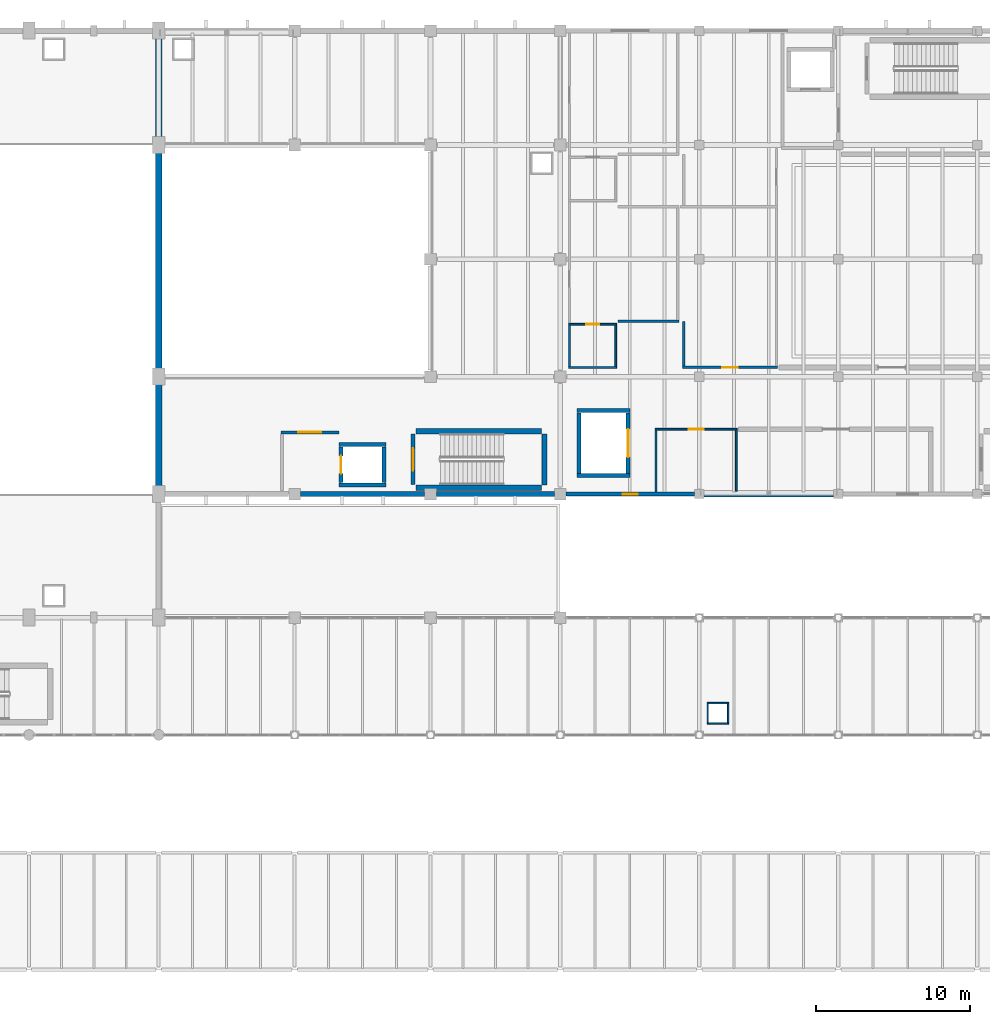
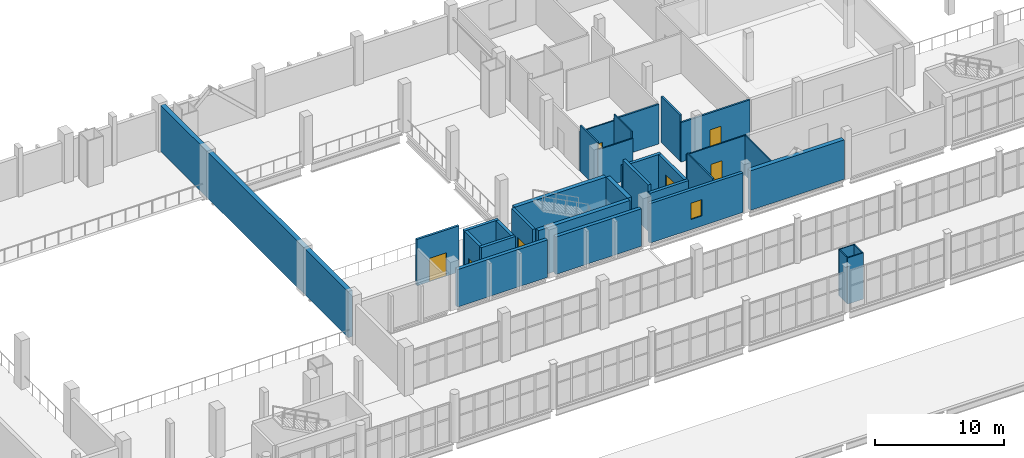
# One storey, part 121 of 136: 32 walls, 7 doors, 1 window, 8 openings.
"""IFC4 building model written with IfcOpenShell, lengths in metres."""

from ifc_helpers import new_model, si_unit, direction, frame, frame_2d, origin, place, context, subcontext, project, spatial, rectangle, extrude, material, layer, layer_set, type_object, element, fill, save


model = new_model("IFC4")

# Units and contexts
model_context = context("Model", 3, precision=1e-05, world=origin(), true_north=direction((0.0, 1.0)))
body_context = subcontext(model_context, "Body", "Model", "MODEL_VIEW")
ifc_project = project(units=[si_unit("LENGTHUNIT", "METRE"), si_unit("AREAUNIT", "SQUARE_METRE"), si_unit("VOLUMEUNIT", "CUBIC_METRE"), si_unit("PLANEANGLEUNIT", "RADIAN"), si_unit("MASSUNIT", "GRAM", prefix="KILO")], contexts=[model_context])

# Site, building, storey
site_placement = place(None, origin())
site = spatial("IfcSite", under=ifc_project, at=site_placement, CompositionType="ELEMENT")
building_placement = place(site_placement, origin())
building = spatial("IfcBuilding", under=site, at=building_placement, Name="Shengluoqiao Park Theatre", CompositionType="ELEMENT")
storey_placement = place(building_placement, frame((0.0, 0.0, 10.0)))
storey = spatial("IfcBuildingStorey", under=building, at=storey_placement, Name="L02", CompositionType="ELEMENT", Elevation=10.0)

# Wall, opening, window
ifc_material_1 = material(Name="Concrete C40", Category="concrete")
ifc_layer_1 = layer(ifc_material_1, 0.27001953125, Name="Concrete C40")
ifc_layer_set_1 = layer_set([ifc_layer_1], Name="Concrete C40")
wall_type_1 = type_object("IfcWallType", Name="ENV-WL-CONC270", PredefinedType="STANDARD", material=ifc_layer_set_1)
wall_1_placement = place(storey_placement, frame((112.779052734375, 84.0, 0.0), z_axis=(0.0, 0.0, 1.0), x_axis=(1.0, 0.0, 0.0)))
wall_1 = element("IfcWall", 1, at=wall_1_placement, inside=storey, type_object=wall_type_1, Name="L02 Exterior Wall 0217", PredefinedType="STANDARD", context=body_context, shape_type="SweptSolid", body=[
    extrude(rectangle(XDim=8.31689453125, YDim=0.27001953125, at=frame_2d((4.158447265625, 0.0))), origin(), (0.0, 0.0, 1.0), 3.738037109375),
])
opening_1_placement = place(wall_1_placement, frame((3.68359375, 0.0, 0.949951171875)))
opening_1 = element("IfcOpeningElement", 2, at=opening_1_placement, cuts=wall_1, Name="Opening W-08", PredefinedType="OPENING", context=body_context, shape_type="SweptSolid", body=[
    extrude(rectangle(XDim=0.949951171875, YDim=1.550048828125, at=frame_2d((0.47509765625, 0.77490234375))), frame((0.0, 0.14501953125, 0.0), z_axis=(0.0, -1.0, 0.0), x_axis=(1.0, 0.0, 0.0)), (0.0, 0.0, 1.0), 0.2900390625),
])
ifc_material_2 = material(Name="Insulated glass", Category="glass")
window_type = type_object("IfcWindowType", Name="ENV-WIN-W08", PartitioningType="SINGLE_PANEL", PredefinedType="WINDOW", material=ifc_material_2)
window_placement = place(opening_1_placement, origin())
window = element("IfcWindow", 3, at=window_placement, inside=storey, type_object=window_type, Name="L02 Acoustic Window 0062", OverallHeight=1.550048828125, OverallWidth=0.949951171875, PartitioningType="SINGLE_PANEL", PredefinedType="WINDOW", context=body_context, shape_type="SweptSolid", body=[
    extrude(rectangle(XDim=0.949951171875, YDim=1.550048828125, at=frame_2d((0.47509765625, 0.77490234375))), frame((0.0, 0.030029296875, 0.0), z_axis=(0.0, -1.0, 0.0), x_axis=(1.0, 0.0, 0.0)), (0.0, 0.0, 1.0), 0.06005859375),
])
fill(opening_1, window)

# Walls
ifc_layer_2 = layer(ifc_material_1, 0.31005859375, Name="Concrete C40")
ifc_layer_set_2 = layer_set([ifc_layer_2], Name="Concrete C40")
wall_type_2 = type_object("IfcWallType", Name="ENV-WL-CONC310", PredefinedType="STANDARD", material=ifc_layer_set_2)
wall_2_placement = place(storey_placement, frame((95.5791015625, 84.0, 0.0), z_axis=(0.0, 0.0, 1.0), x_axis=(1.0, 0.0, 0.0)))
element("IfcWall", 4, at=wall_2_placement, inside=storey, type_object=wall_type_2, Name="L02 Exterior Wall 0069", PredefinedType="STANDARD", context=body_context, shape_type="SweptSolid", body=[
    extrude(rectangle(XDim=8.0419921875, YDim=0.31005859375, at=frame_2d((4.02099609375, 0.0))), origin(), (0.0, 0.0, 1.0), 3.5380859375),
])
wall_3_placement = place(storey_placement, frame((104.37890625, 84.0, 0.0), z_axis=(0.0, 0.0, 1.0), x_axis=(1.0, 0.0, 0.0)))
element("IfcWall", 5, at=wall_3_placement, inside=storey, type_object=wall_type_2, Name="L02 Exterior Wall 0070", PredefinedType="STANDARD", context=body_context, shape_type="SweptSolid", body=[
    extrude(rectangle(XDim=7.64208984375, YDim=0.31005859375, at=frame_2d((3.821044921875, 0.0))), origin(), (0.0, 0.0, 1.0), 3.5380859375),
])
ifc_material_3 = material(Name="Concrete C45", Category="concrete")
ifc_layer_3 = layer(ifc_material_3, 0.3798828125, Name="Concrete C45")
ifc_layer_set_3 = layer_set([ifc_layer_3], Name="Concrete C45")
wall_type_3 = type_object("IfcWallType", Name="ENV-WL-CONC380", PredefinedType="STANDARD", material=ifc_layer_set_3)
wall_4_placement = place(storey_placement, frame((121.7041015625, 84.0, 0.0), z_axis=(0.0, 0.0, 1.0), x_axis=(1.0, 0.0, 0.0)))
element("IfcWall", 6, at=wall_4_placement, inside=storey, type_object=wall_type_3, Name="L02 Exterior Wall 0218", PredefinedType="STANDARD", context=body_context, shape_type="SweptSolid", body=[
    extrude(rectangle(XDim=8.391845703125, YDim=0.3798828125, at=frame_2d((4.19580078125, 0.0))), origin(), (0.0, 0.0, 1.0), 3.738037109375),
])
ifc_material_4 = material(Name="Gypsum acoustic stud", Category="gypsum")
ifc_layer_4 = layer(ifc_material_4, 0.155029296875, Name="Gypsum acoustic stud")
ifc_layer_set_4 = layer_set([ifc_layer_4], Name="Gypsum acoustic stud")
wall_type_4 = type_object("IfcWallType", Name="INT-WL-DRS155", PredefinedType="PARTITIONING", material=ifc_layer_set_4)
wall_5_placement = place(storey_placement, frame((116.135009765625, 95.199951171875, 0.0), z_axis=(0.0, 0.0, 1.0), x_axis=(1.0, 0.0, 0.0)))
element("IfcWall", 7, at=wall_5_placement, inside=storey, type_object=wall_type_4, Name="Principal Dressing Room 03 Partition S", PredefinedType="PARTITIONING", context=body_context, shape_type="SweptSolid", body=[
    extrude(rectangle(XDim=3.9423828125, YDim=0.155029296875, at=frame_2d((1.97119140625, 0.0))), origin(), (0.0, 0.0, 1.0), 3.738037109375),
])

# Wall, opening, door
wall_6_placement = place(storey_placement, frame((120.322509765625, 92.199951171875, 0.0), z_axis=(0.0, 0.0, 1.0), x_axis=(1.0, 0.0, 0.0)))
wall_6 = element("IfcWall", 8, at=wall_6_placement, inside=storey, type_object=wall_type_4, Name="Chorus Dressing Room 03 Partition S", PredefinedType="PARTITIONING", context=body_context, shape_type="SweptSolid", body=[
    extrude(rectangle(XDim=6.155029296875, YDim=0.155029296875, at=frame_2d((3.07763671875, 0.0))), origin(), (0.0, 0.0, 1.0), 3.738037109375),
])
opening_2_placement = place(wall_6_placement, frame((2.577392578125, 0.0, 0.0)))
opening_2 = element("IfcOpeningElement", 9, at=opening_2_placement, cuts=wall_6, Name="Opening D-L02-062", PredefinedType="OPENING", context=body_context, shape_type="SweptSolid", body=[
    extrude(rectangle(XDim=1.0, YDim=2.14990234375, at=frame_2d((0.5, 1.074951171875))), frame((0.0, 0.08740234375, 0.0), z_axis=(0.0, -1.0, 0.0), x_axis=(1.0, 0.0, 0.0)), (0.0, 0.0, 1.0), 0.175048828125),
])
ifc_material_5 = material(Name="Acoustic timber", Category="wood")
door_type_1 = type_object("IfcDoorType", Name="INT-DR-SNG100", OperationType="NOTDEFINED", PredefinedType="DOOR", material=ifc_material_5)
door_1_placement = place(opening_2_placement, origin())
door_1 = element("IfcDoor", 10, at=door_1_placement, inside=storey, type_object=door_type_1, Name="Chorus Dressing Room 03 Door D-L02-062", OperationType="SINGLE_SWING_RIGHT", OverallHeight=2.14990234375, OverallWidth=1.0, PredefinedType="DOOR", context=body_context, shape_type="SweptSolid", body=[
    extrude(rectangle(XDim=1.0, YDim=2.14990234375, at=frame_2d((0.5, 1.074951171875))), frame((0.0, 0.02490234375, 0.0), z_axis=(0.0, -1.0, 0.0), x_axis=(1.0, 0.0, 0.0)), (0.0, 0.0, 1.0), 0.050048828125),
])
fill(opening_2, door_1)

# Wall
wall_7_placement = place(storey_placement, frame((120.39990234375, 92.283447265625, 0.0), z_axis=(0.0, 0.0, 1.0), x_axis=(0.0, 1.0, 0.0)))
element("IfcWall", 11, at=wall_7_placement, inside=storey, type_object=wall_type_4, Name="Chorus Dressing Room 03 Partition W", PredefinedType="PARTITIONING", context=body_context, shape_type="SweptSolid", body=[
    extrude(rectangle(XDim=2.902587890625, YDim=0.155029296875, at=frame_2d((1.451171875, 0.0))), origin(), (0.0, 0.0, 1.0), 4.360107421875),
])

# Wall, opening, door
ifc_material_6 = material(Name="Concrete blockwork B06", Category="masonry")
ifc_layer_5 = layer(ifc_material_6, 0.195068359375, Name="Concrete blockwork B06")
ifc_layer_set_5 = layer_set([ifc_layer_5], Name="Concrete blockwork B06")
wall_type_5 = type_object("IfcWallType", Name="INT-WL-FFL195", PredefinedType="PARTITIONING", material=ifc_layer_set_5)
wall_8_placement = place(storey_placement, frame((94.31005859375, 88.0, 0.0), z_axis=(0.0, 0.0, 1.0), x_axis=(1.0, 0.0, 0.0)))
wall_8 = element("IfcWall", 12, at=wall_8_placement, inside=storey, type_object=wall_type_5, Name="L02 Firefighting Lift Lobby FF1 Fire Wall N", PredefinedType="PARTITIONING", context=body_context, shape_type="SweptSolid", body=[
    extrude(rectangle(XDim=3.75, YDim=0.195068359375, at=frame_2d((1.875, 0.0))), origin(), (0.0, 0.0, 1.0), 4.360107421875),
])
opening_3_placement = place(wall_8_placement, frame((1.125, 0.0, 0.0)))
opening_3 = element("IfcOpeningElement", 13, at=opening_3_placement, cuts=wall_8, Name="Opening FD-FFL-1-L02", PredefinedType="OPENING", context=body_context, shape_type="SweptSolid", body=[
    extrude(rectangle(XDim=1.5, YDim=2.199951171875, at=frame_2d((0.75, 1.10009765625))), frame((0.0, 0.107421875, 0.0), z_axis=(0.0, -1.0, 0.0), x_axis=(1.0, 0.0, 0.0)), (0.0, 0.0, 1.0), 0.215087890625),
])
ifc_material_7 = material(Name="Steel Q355", Category="steel")
door_type_2 = type_object("IfcDoorType", Name="INT-DR-FFL150", OperationType="DOUBLE_DOOR_SINGLE_SWING", PredefinedType="DOOR", material=ifc_material_7)
door_2_placement = place(opening_3_placement, origin())
door_2 = element("IfcDoor", 14, at=door_2_placement, inside=storey, type_object=door_type_2, Name="L02 Firefighting Lift Lobby FF1 Fire Door FD-FFL-1-L02", OperationType="DOUBLE_DOOR_SINGLE_SWING", OverallHeight=2.199951171875, OverallWidth=1.5, PredefinedType="DOOR", context=body_context, shape_type="SweptSolid", body=[
    extrude(rectangle(XDim=1.5, YDim=2.199951171875, at=frame_2d((0.75, 1.10009765625))), frame((0.0, 0.02490234375, 0.0), z_axis=(0.0, -1.0, 0.0), x_axis=(1.0, 0.0, 0.0)), (0.0, 0.0, 1.0), 0.050048828125),
])
fill(opening_3, door_2)

# Walls
ifc_material_8 = material(Name="Gypsum shaftwall", Category="gypsum")
ifc_layer_6 = layer(ifc_material_8, 0.094970703125, Name="Gypsum shaftwall")
ifc_layer_set_6 = layer_set([ifc_layer_6], Name="Gypsum shaftwall")
wall_type_6 = type_object("IfcWallType", Name="INT-WL-RSR095", PredefinedType="PARTITIONING", material=ifc_layer_set_6)
for number, where, z_axis, x_axis, name in (
    (15, (121.905029296875, 69.14990234375, 0.0), (0.0, 0.0, 1.0), (1.0, 0.0, 0.0), "L02 Service Riser Shaftwall 129"),
    (16, (121.905029296875, 70.469970703125, 0.0), (0.0, 0.0, 1.0), (1.0, 0.0, 0.0), "L02 Service Riser Shaftwall 130"),
):
    element("IfcWall", number, at=place(storey_placement, frame(where, z_axis=z_axis, x_axis=x_axis)), inside=storey, type_object=wall_type_6, Name=name, PredefinedType="PARTITIONING", context=body_context, shape_type="SweptSolid", body=[
        extrude(rectangle(XDim=1.409912109375, YDim=0.094970703125, at=frame_2d((0.705078125, 0.0))), origin(), (0.0, 0.0, 1.0), 4.360107421875),
    ])
for number, where, z_axis, x_axis, name in (
    (17, (121.949951171875, 69.205078125, 0.0), (0.0, 0.0, 1.0), (0.0, 1.0, 0.0), "L02 Service Riser Shaftwall 131"),
    (18, (123.27001953125, 69.205078125, 0.0), (0.0, 0.0, 1.0), (0.0, 1.0, 0.0), "L02 Service Riser Shaftwall 132"),
):
    element("IfcWall", number, at=place(storey_placement, frame(where, z_axis=z_axis, x_axis=x_axis)), inside=storey, type_object=wall_type_6, Name=name, PredefinedType="PARTITIONING", context=body_context, shape_type="SweptSolid", body=[
        extrude(rectangle(XDim=1.2099609375, YDim=0.094970703125, at=frame_2d((0.60498046875, 0.0))), origin(), (0.0, 0.0, 1.0), 4.360107421875),
    ])
ifc_layer_7 = layer(ifc_material_1, 0.260009765625, Name="Concrete C40")
ifc_layer_set_7 = layer_set([ifc_layer_7], Name="Concrete C40")
wall_type_7 = type_object("IfcWallType", Name="INT-WL-SHF260", PredefinedType="STANDARD", material=ifc_layer_set_7)
for number, where, z_axis, x_axis, name in (
    (19, (98.070068359375, 84.60009765625, 0.0), (0.0, 0.0, 1.0), (1.0, 0.0, 0.0), "L02 FF1 Lift Shaft Wall South"),
    (20, (98.070068359375, 87.199951171875, 0.0), (0.0, 0.0, 1.0), (1.0, 0.0, 0.0), "L02 FF1 Lift Shaft Wall North"),
):
    element("IfcWall", number, at=place(storey_placement, frame(where, z_axis=z_axis, x_axis=x_axis)), inside=storey, type_object=wall_type_7, Name=name, PredefinedType="STANDARD", context=body_context, shape_type="SweptSolid", body=[
        extrude(rectangle(XDim=3.059814453125, YDim=0.260009765625, at=frame_2d((1.52978515625, 0.0))), origin(), (0.0, 0.0, 1.0), 4.360107421875),
    ])

# Wall, opening, door
wall_9_placement = place(storey_placement, frame((98.199951171875, 84.736083984375, 0.0), z_axis=(0.0, 0.0, 1.0), x_axis=(0.0, 1.0, 0.0)))
wall_9 = element("IfcWall", 21, at=wall_9_placement, inside=storey, type_object=wall_type_7, Name="L02 FF1 Lift Shaft Wall West", PredefinedType="STANDARD", context=body_context, shape_type="SweptSolid", body=[
    extrude(rectangle(XDim=2.327880859375, YDim=0.260009765625, at=frame_2d((1.1640625, 0.0))), origin(), (0.0, 0.0, 1.0), 4.360107421875),
])
opening_4_placement = place(wall_9_placement, frame((0.589111328125, 0.0, 0.0)))
opening_4 = element("IfcOpeningElement", 22, at=opening_4_placement, cuts=wall_9, Name="Opening LD-FF1-L02", PredefinedType="OPENING", context=body_context, shape_type="SweptSolid", body=[
    extrude(rectangle(XDim=1.14990234375, YDim=2.14990234375, at=frame_2d((0.574951171875, 1.074951171875))), frame((0.0, 0.139892578125, 0.0), z_axis=(0.0, -1.0, 0.0), x_axis=(1.0, 0.0, 0.0)), (0.0, 0.0, 1.0), 0.280029296875),
])
ifc_material_9 = material(Name="Stainless steel 304", Category="steel")
door_type_3 = type_object("IfcDoorType", Name="INT-DR-LD115", OperationType="SLIDING_TO_LEFT", PredefinedType="DOOR", material=ifc_material_9)
door_3_placement = place(opening_4_placement, origin())
door_3 = element("IfcDoor", 23, at=door_3_placement, inside=storey, type_object=door_type_3, Name="FF1 Lift Landing Door LD-FF1-L02", OperationType="SLIDING_TO_LEFT", OverallHeight=2.14990234375, OverallWidth=1.14990234375, PredefinedType="DOOR", context=body_context, shape_type="SweptSolid", body=[
    extrude(rectangle(XDim=1.14990234375, YDim=2.14990234375, at=frame_2d((0.574951171875, 1.074951171875))), frame((0.0, 0.02490234375, 0.0), z_axis=(0.0, -1.0, 0.0), x_axis=(1.0, 0.0, 0.0)), (0.0, 0.0, 1.0), 0.050048828125),
])
fill(opening_4, door_3)

# Walls
wall_10_placement = place(storey_placement, frame((101.0, 84.736083984375, 0.0), z_axis=(0.0, 0.0, 1.0), x_axis=(0.0, 1.0, 0.0)))
element("IfcWall", 24, at=wall_10_placement, inside=storey, type_object=wall_type_7, Name="L02 FF1 Lift Shaft Wall East", PredefinedType="STANDARD", context=body_context, shape_type="SweptSolid", body=[
    extrude(rectangle(XDim=2.327880859375, YDim=0.260009765625, at=frame_2d((1.1640625, 0.0))), origin(), (0.0, 0.0, 1.0), 4.360107421875),
])
for number, where, z_axis, x_axis, name in (
    (25, (113.469970703125, 85.199951171875, 0.0), (0.0, 0.0, 1.0), (1.0, 0.0, 0.0), "L02 FL1 Lift Shaft Wall South"),
    (26, (113.469970703125, 89.39990234375, 0.0), (0.0, 0.0, 1.0), (1.0, 0.0, 0.0), "L02 FL1 Lift Shaft Wall North"),
):
    element("IfcWall", number, at=place(storey_placement, frame(where, z_axis=z_axis, x_axis=x_axis)), inside=storey, type_object=wall_type_7, Name=name, PredefinedType="STANDARD", context=body_context, shape_type="SweptSolid", body=[
        extrude(rectangle(XDim=3.4599609375, YDim=0.260009765625, at=frame_2d((1.72998046875, 0.0))), origin(), (0.0, 0.0, 1.0), 3.738037109375),
    ])
wall_11_placement = place(storey_placement, frame((113.60009765625, 85.3359375, 0.0), z_axis=(0.0, 0.0, 1.0), x_axis=(0.0, 1.0, 0.0)))
element("IfcWall", 27, at=wall_11_placement, inside=storey, type_object=wall_type_7, Name="L02 FL1 Lift Shaft Wall West", PredefinedType="STANDARD", context=body_context, shape_type="SweptSolid", body=[
    extrude(rectangle(XDim=3.927978515625, YDim=0.260009765625, at=frame_2d((1.9638671875, 0.0))), origin(), (0.0, 0.0, 1.0), 4.360107421875),
])

# Wall, opening, door
wall_12_placement = place(storey_placement, frame((116.800048828125, 85.3359375, 0.0), z_axis=(0.0, 0.0, 1.0), x_axis=(0.0, 1.0, 0.0)))
wall_12 = element("IfcWall", 28, at=wall_12_placement, inside=storey, type_object=wall_type_7, Name="L02 FL1 Lift Shaft Wall East", PredefinedType="STANDARD", context=body_context, shape_type="SweptSolid", body=[
    extrude(rectangle(XDim=3.927978515625, YDim=0.260009765625, at=frame_2d((1.9638671875, 0.0))), origin(), (0.0, 0.0, 1.0), 3.738037109375),
])
opening_5_placement = place(wall_12_placement, frame((1.053955078125, 0.0, 0.0)))
opening_5 = element("IfcOpeningElement", 29, at=opening_5_placement, cuts=wall_12, Name="Opening LD-FL1-L02", PredefinedType="OPENING", context=body_context, shape_type="SweptSolid", body=[
    extrude(rectangle(XDim=1.820068359375, YDim=2.5, at=frame_2d((0.91015625, 1.25))), frame((0.0, 0.139892578125, 0.0), z_axis=(0.0, -1.0, 0.0), x_axis=(1.0, 0.0, 0.0)), (0.0, 0.0, 1.0), 0.280029296875),
])
door_type_4 = type_object("IfcDoorType", Name="INT-DR-LD182", OperationType="SLIDING_TO_LEFT", PredefinedType="DOOR", material=ifc_material_9)
door_4_placement = place(opening_5_placement, origin())
door_4 = element("IfcDoor", 30, at=door_4_placement, inside=storey, type_object=door_type_4, Name="FL1 Lift Landing Door LD-FL1-L02", OperationType="SLIDING_TO_LEFT", OverallHeight=2.5, OverallWidth=1.820068359375, PredefinedType="DOOR", context=body_context, shape_type="SweptSolid", body=[
    extrude(rectangle(XDim=1.820068359375, YDim=2.5, at=frame_2d((0.91015625, 1.25))), frame((0.0, 0.02490234375, 0.0), z_axis=(0.0, -1.0, 0.0), x_axis=(1.0, 0.0, 0.0)), (0.0, 0.0, 1.0), 0.050048828125),
])
fill(opening_5, door_4)

ifc_layer_8 = layer(ifc_material_1, 0.239990234375, Name="Concrete C40")
ifc_layer_set_8 = layer_set([ifc_layer_8], Name="Concrete C40")
wall_type_8 = type_object("IfcWallType", Name="INT-WL-STW240", PredefinedType="STANDARD", material=ifc_layer_set_8)
wall_13_placement = place(storey_placement, frame((102.860107421875, 84.610107421875, 0.0), z_axis=(0.0, 0.0, 1.0), x_axis=(0.0, 1.0, 0.0)))
wall_13 = element("IfcWall", 31, at=wall_13_placement, inside=storey, type_object=wall_type_8, Name="L02 ST-05 Stairwell Fire Wall", PredefinedType="STANDARD", context=body_context, shape_type="SweptSolid", body=[
    extrude(rectangle(XDim=3.27978515625, YDim=0.239990234375, at=frame_2d((1.639892578125, 0.0))), origin(), (0.0, 0.0, 1.0), 4.360107421875),
])
opening_6_placement = place(wall_13_placement, frame((0.9150390625, 0.0, 0.0)))
opening_6 = element("IfcOpeningElement", 32, at=opening_6_placement, cuts=wall_13, Name="Opening SD-05-L02", PredefinedType="OPENING", context=body_context, shape_type="SweptSolid", body=[
    extrude(rectangle(XDim=1.449951171875, YDim=2.199951171875, at=frame_2d((0.72509765625, 1.10009765625))), frame((0.0, 0.1298828125, 0.0), z_axis=(0.0, -1.0, 0.0), x_axis=(1.0, 0.0, 0.0)), (0.0, 0.0, 1.0), 0.260009765625),
])
door_type_5 = type_object("IfcDoorType", Name="INT-DR-STW145", OperationType="DOUBLE_DOOR_SINGLE_SWING", PredefinedType="DOOR", material=ifc_material_7)
door_5_placement = place(opening_6_placement, origin())
door_5 = element("IfcDoor", 33, at=door_5_placement, inside=storey, type_object=door_type_5, Name="L02 ST-05 Escape Stair Door SD-05-L02", OperationType="DOUBLE_DOOR_SINGLE_SWING", OverallHeight=2.199951171875, OverallWidth=1.449951171875, PredefinedType="DOOR", context=body_context, shape_type="SweptSolid", body=[
    extrude(rectangle(XDim=1.449951171875, YDim=2.199951171875, at=frame_2d((0.72509765625, 1.10009765625))), frame((0.0, 0.02490234375, 0.0), z_axis=(0.0, -1.0, 0.0), x_axis=(1.0, 0.0, 0.0)), (0.0, 0.0, 1.0), 0.050048828125),
])
fill(opening_6, door_5)

ifc_material_10 = material(Name="Moisture-resistant board")
ifc_layer_9 = layer(ifc_material_10, 0.114990234375, Name="Moisture-resistant board")
ifc_layer_set_9 = layer_set([ifc_layer_9], Name="Moisture-resistant board")
wall_type_9 = type_object("IfcWallType", Name="INT-WL-WCP115", PredefinedType="PARTITIONING", material=ifc_layer_set_9)
wall_14_placement = place(storey_placement, frame((118.54248046875, 88.199951171875, 0.0), z_axis=(0.0, 0.0, 1.0), x_axis=(1.0, 0.0, 0.0)))
wall_14 = element("IfcWall", 34, at=wall_14_placement, inside=storey, type_object=wall_type_9, Name="Second Floor Backstage Staff WC Partition N", PredefinedType="PARTITIONING", context=body_context, shape_type="SweptSolid", body=[
    extrude(rectangle(XDim=5.31494140625, YDim=0.114990234375, at=frame_2d((2.657470703125, 0.0))), origin(), (0.0, 0.0, 1.0), 3.738037109375),
])
opening_7_placement = place(wall_14_placement, frame((2.177490234375, 0.0, 0.0)))
opening_7 = element("IfcOpeningElement", 35, at=opening_7_placement, cuts=wall_14, Name="Opening D-L02-057", PredefinedType="OPENING", context=body_context, shape_type="SweptSolid", body=[
    extrude(rectangle(XDim=0.9599609375, YDim=2.080078125, at=frame_2d((0.47998046875, 1.0400390625))), frame((0.0, 0.0673828125, 0.0), z_axis=(0.0, -1.0, 0.0), x_axis=(1.0, 0.0, 0.0)), (0.0, 0.0, 1.0), 0.135009765625),
])
ifc_material_11 = material(Name="Moisture-resistant laminate")
door_type_6 = type_object("IfcDoorType", Name="INT-DR-ACC096", OperationType="NOTDEFINED", PredefinedType="DOOR", material=ifc_material_11)
door_6_placement = place(opening_7_placement, origin())
door_6 = element("IfcDoor", 36, at=door_6_placement, inside=storey, type_object=door_type_6, Name="Second Floor Backstage Staff WC Door D-L02-057", OperationType="SINGLE_SWING_LEFT", OverallHeight=2.080078125, OverallWidth=0.9599609375, PredefinedType="DOOR", context=body_context, shape_type="SweptSolid", body=[
    extrude(rectangle(XDim=0.9599609375, YDim=2.080078125, at=frame_2d((0.47998046875, 1.0400390625))), frame((0.0, 0.02490234375, 0.0), z_axis=(0.0, -1.0, 0.0), x_axis=(1.0, 0.0, 0.0)), (0.0, 0.0, 1.0), 0.050048828125),
])
fill(opening_7, door_6)

# Walls
wall_15_placement = place(storey_placement, frame((123.800048828125, 84.197998046875, 0.0), z_axis=(0.0, 0.0, 1.0), x_axis=(0.0, 1.0, 0.0)))
element("IfcWall", 37, at=wall_15_placement, inside=storey, type_object=wall_type_9, Name="Second Floor Backstage Staff WC Partition E", PredefinedType="PARTITIONING", context=body_context, shape_type="SweptSolid", body=[
    extrude(rectangle(XDim=3.9384765625, YDim=0.114990234375, at=frame_2d((1.96923828125, 0.0))), origin(), (0.0, 0.0, 1.0), 3.738037109375),
])
wall_16_placement = place(storey_placement, frame((118.60009765625, 84.14306640625, 0.0), z_axis=(0.0, 0.0, 1.0), x_axis=(0.0, 1.0, 0.0)))
element("IfcWall", 38, at=wall_16_placement, inside=storey, type_object=wall_type_9, Name="Second Floor Backstage Staff WC Partition W", PredefinedType="PARTITIONING", context=body_context, shape_type="SweptSolid", body=[
    extrude(rectangle(XDim=3.993408203125, YDim=0.114990234375, at=frame_2d((1.99658203125, 0.0))), origin(), (0.0, 0.0, 1.0), 3.89794921875),
])

# Wall, opening, door
wall_17_placement = place(storey_placement, frame((112.9423828125, 95.0, 0.0), z_axis=(0.0, 0.0, 1.0), x_axis=(1.0, 0.0, 0.0)))
wall_17 = element("IfcWall", 39, at=wall_17_placement, inside=storey, type_object=wall_type_9, Name="Principal En-Suite WC 03 Partition N", PredefinedType="PARTITIONING", context=body_context, shape_type="SweptSolid", body=[
    extrude(rectangle(XDim=3.115234375, YDim=0.114990234375, at=frame_2d((1.5576171875, 0.0))), origin(), (0.0, 0.0, 1.0), 3.738037109375),
])
opening_8_placement = place(wall_17_placement, frame((1.12744140625, 0.0, 0.0)))
opening_8 = element("IfcOpeningElement", 40, at=opening_8_placement, cuts=wall_17, Name="Opening D-L02-058", PredefinedType="OPENING", context=body_context, shape_type="SweptSolid", body=[
    extrude(rectangle(XDim=0.860107421875, YDim=2.0400390625, at=frame_2d((0.43017578125, 1.02001953125))), frame((0.0, 0.0673828125, 0.0), z_axis=(0.0, -1.0, 0.0), x_axis=(1.0, 0.0, 0.0)), (0.0, 0.0, 1.0), 0.135009765625),
])
door_type_7 = type_object("IfcDoorType", Name="INT-DR-ENS086", OperationType="NOTDEFINED", PredefinedType="DOOR", material=ifc_material_11)
door_7_placement = place(opening_8_placement, origin())
door_7 = element("IfcDoor", 41, at=door_7_placement, inside=storey, type_object=door_type_7, Name="Principal En-Suite WC 03 Door D-L02-058", OperationType="SINGLE_SWING_RIGHT", OverallHeight=2.0400390625, OverallWidth=0.860107421875, PredefinedType="DOOR", context=body_context, shape_type="SweptSolid", body=[
    extrude(rectangle(XDim=0.860107421875, YDim=2.0400390625, at=frame_2d((0.43017578125, 1.02001953125))), frame((0.0, 0.02490234375, 0.0), z_axis=(0.0, -1.0, 0.0), x_axis=(1.0, 0.0, 0.0)), (0.0, 0.0, 1.0), 0.050048828125),
])
fill(opening_8, door_7)

# Walls
wall_18_placement = place(storey_placement, frame((112.9423828125, 92.199951171875, 0.0), z_axis=(0.0, 0.0, 1.0), x_axis=(1.0, 0.0, 0.0)))
element("IfcWall", 42, at=wall_18_placement, inside=storey, type_object=wall_type_9, Name="Principal En-Suite WC 03 Partition S", PredefinedType="PARTITIONING", context=body_context, shape_type="SweptSolid", body=[
    extrude(rectangle(XDim=3.115234375, YDim=0.114990234375, at=frame_2d((1.5576171875, 0.0))), origin(), (0.0, 0.0, 1.0), 3.738037109375),
])
for number, where, z_axis, x_axis, name in (
    (43, (113.0, 92.263427734375, 0.0), (0.0, 0.0, 1.0), (0.0, 1.0, 0.0), "Principal En-Suite WC 03 Partition W"),
    (44, (116.0, 92.263427734375, 0.0), (0.0, 0.0, 1.0), (0.0, 1.0, 0.0), "Principal En-Suite WC 03 Partition E"),
):
    element("IfcWall", number, at=place(storey_placement, frame(where, z_axis=z_axis, x_axis=x_axis)), inside=storey, type_object=wall_type_9, Name=name, PredefinedType="PARTITIONING", context=body_context, shape_type="SweptSolid", body=[
        extrude(rectangle(XDim=2.673095703125, YDim=0.114990234375, at=frame_2d((1.33642578125, 0.0))), origin(), (0.0, 0.0, 1.0), 4.360107421875),
    ])
ifc_material_12 = material(Name="Concrete C50", Category="concrete")
ifc_layer_10 = layer(ifc_material_12, 0.35009765625, Name="Concrete C50")
ifc_layer_set_10 = layer_set([ifc_layer_10], Name="Concrete C50")
wall_type_10 = type_object("IfcWallType", Name="STR-SW-CORE350", PredefinedType="SHEAR", material=ifc_layer_set_10)
wall_19_placement = place(storey_placement, frame((103.050048828125, 84.419921875, 0.0), z_axis=(0.0, 0.0, 1.0), x_axis=(1.0, 0.0, 0.0)))
element("IfcWall", 45, at=wall_19_placement, inside=storey, type_object=wall_type_10, Name="L02 ST-05 Core Left Shear Wall 0094", PredefinedType="SHEAR", context=body_context, shape_type="SweptSolid", body=[
    extrude(rectangle(XDim=8.14990234375, YDim=0.35009765625, at=frame_2d((4.074951171875, 0.0))), origin(), (0.0, 0.0, 1.0), 4.360107421875),
])
wall_20_placement = place(storey_placement, frame((111.3798828125, 84.60009765625, 0.0), z_axis=(0.0, 0.0, 1.0), x_axis=(0.0, 1.0, 0.0)))
element("IfcWall", 46, at=wall_20_placement, inside=storey, type_object=wall_type_10, Name="L02 ST-05 Core Far Shear Wall 0095", PredefinedType="SHEAR", context=body_context, shape_type="SweptSolid", body=[
    extrude(rectangle(XDim=3.2998046875, YDim=0.35009765625, at=frame_2d((1.64990234375, 0.0))), origin(), (0.0, 0.0, 1.0), 4.360107421875),
])
wall_21_placement = place(storey_placement, frame((111.199951171875, 88.080078125, 0.0), z_axis=(0.0, 0.0, 1.0), x_axis=(-1.0, 0.0, 0.0)))
element("IfcWall", 47, at=wall_21_placement, inside=storey, type_object=wall_type_10, Name="L02 ST-05 Core Right Shear Wall 0096", PredefinedType="SHEAR", context=body_context, shape_type="SweptSolid", body=[
    extrude(rectangle(XDim=8.14990234375, YDim=0.35009765625, at=frame_2d((4.074951171875, 0.0))), origin(), (0.0, 0.0, 1.0), 4.360107421875),
])
ifc_layer_11 = layer(ifc_material_12, 0.39990234375, Name="Concrete C50")
ifc_layer_set_11 = layer_set([ifc_layer_11], Name="Concrete C50")
wall_type_11 = type_object("IfcWallType", Name="STR-SW-PROSC400", PredefinedType="SHEAR", material=ifc_layer_set_11)
wall_22_placement = place(storey_placement, frame((86.39990234375, 84.5, 0.0), z_axis=(0.0, 0.0, 1.0), x_axis=(0.0, 1.0, 0.0)))
element("IfcWall", 48, at=wall_22_placement, inside=storey, type_object=wall_type_11, Name="L02 Proscenium Fire Wall 0021", PredefinedType="SHEAR", context=body_context, shape_type="SweptSolid", body=[
    extrude(rectangle(XDim=29.0, YDim=0.39990234375, at=frame_2d((14.5, 0.0))), origin(), (0.0, 0.0, 1.0), 4.360107421875),
])

save(model, "model.ifc")
